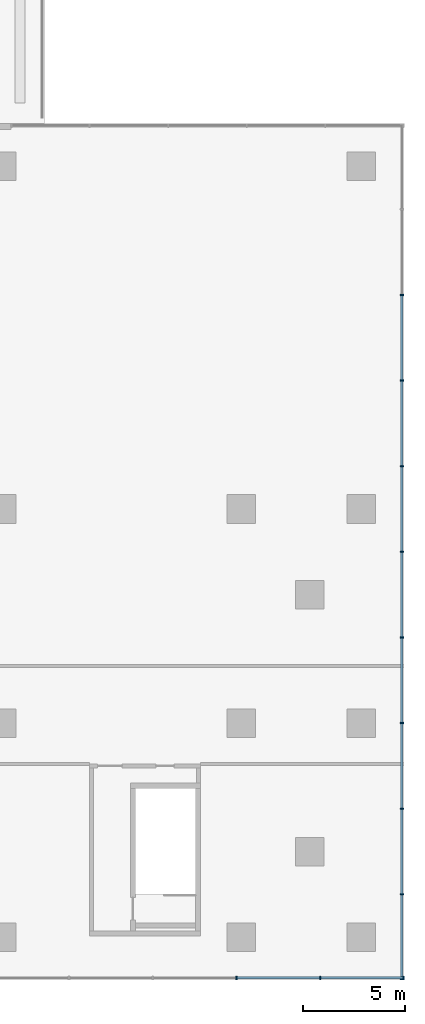
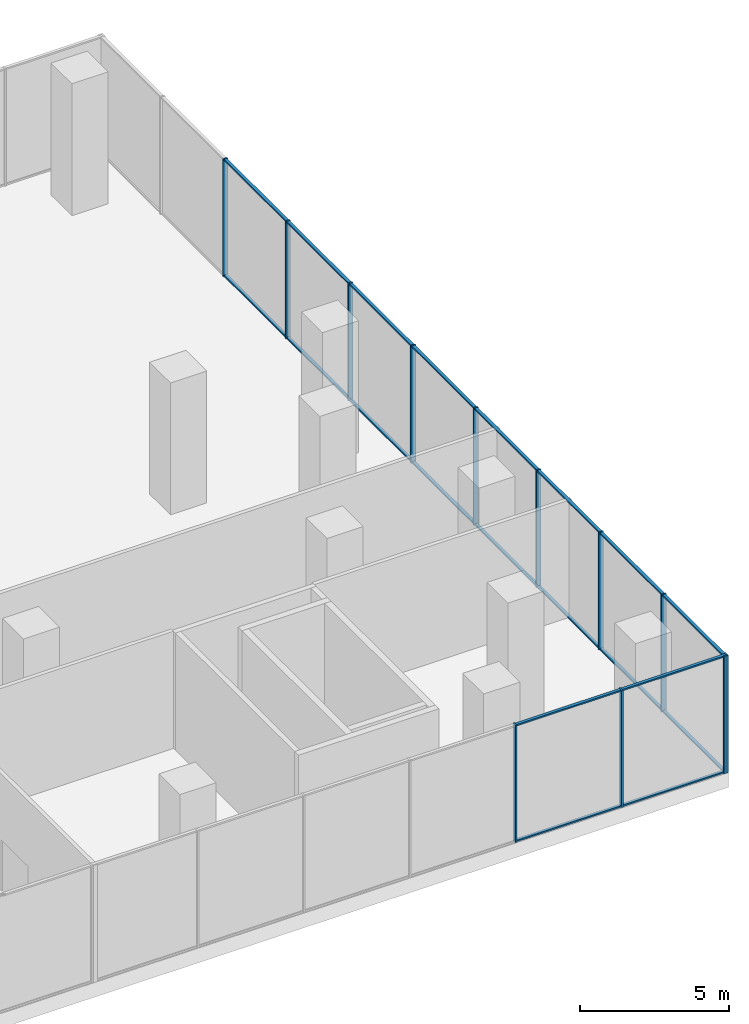
# One storey, part 8 of 21: 32 members, 2 elements without a shape of their own.
"""IFC4 building model written with IfcOpenShell, lengths in metres."""

from ifc_helpers import new_model, si_unit, direction, frame, origin, origin_2d, place, context, subcontext, project, spatial, rectangle, extrude, source, transform, mapped, material, layer, layer_set, material_profile, profile_set, type_object, element, aggregate, save


model = new_model("IFC4")

# Units and contexts
model_context = context("Model", 3, precision=1e-05, world=origin(), true_north=direction((0.0, 1.0)))
body_context = subcontext(model_context, "Body", "Model", "MODEL_VIEW")
ifc_project = project(units=[si_unit("LENGTHUNIT", "METRE"), si_unit("AREAUNIT", "SQUARE_METRE"), si_unit("VOLUMEUNIT", "CUBIC_METRE"), si_unit("PLANEANGLEUNIT", "RADIAN"), si_unit("MASSUNIT", "GRAM", prefix="KILO")], contexts=[model_context])

# Site, building, storey
site_placement = place(None, origin())
site = spatial("IfcSite", under=ifc_project, at=site_placement, CompositionType="ELEMENT")
building_placement = place(site_placement, origin())
building = spatial("IfcBuilding", under=site, at=building_placement, Name="Aurelian Terraces", CompositionType="ELEMENT")
storey_placement = place(building_placement, frame((0.0, 0.0, 29.1)))
storey = spatial("IfcBuildingStorey", under=building, at=storey_placement, Name="L05", CompositionType="ELEMENT", Elevation=29.1)

# Curtain wall, members
ifc_material_1 = material(Name="Anodised aluminium and clear glazing", Category="aluminium")
ifc_layer = layer(ifc_material_1, 0.2)
ifc_layer_set = layer_set([ifc_layer], Name="Winter garden glazing curtain wall")
curtain_wall_type = type_object("IfcCurtainWallType", Name="Winter garden glazing curtain wall", PredefinedType="NOTDEFINED", material=ifc_layer_set)
curtain_wall_1_placement = place(storey_placement, origin())
curtain_wall_1 = element("IfcCurtainWall", 1, at=curtain_wall_1_placement, inside=storey, type_object=curtain_wall_type, Name="Winter garden glazing L05 F01.1", PredefinedType="NOTDEFINED")
ifc_material_2 = material(Name="Anodised aluminium", Category="aluminium")
ifc_material_profile_1 = material_profile(ifc_material_2, rectangle(XDim=0.18, YDim=0.06, at=origin_2d()))
ifc_profile_set_1 = profile_set([ifc_material_profile_1], Name="Anodised aluminium")
member_type_1 = type_object("IfcMemberType", Name="Winter garden glazing mullion", PredefinedType="MULLION", material=ifc_profile_set_1)
shared_shape_1 = source(origin(), body_context, "Body", "SweptSolid", [
    extrude(rectangle(XDim=0.18, YDim=0.06, at=origin_2d()), origin(), (0.0, 0.0, 1.0), 4.8),
])
member_1_placement = place(storey_placement, frame((63.6067, -2.0, 0.0), z_axis=(0.0, 0.0, 1.0), x_axis=(0.0, 1.0, 0.0)))
member_1 = element("IfcMember", 2, at=member_1_placement, type_object=member_type_1, Name="CW6 mullion 17", PredefinedType="MULLION", context=body_context, shape_type="MappedRepresentation", body=[
    mapped(shared_shape_1, transform((0.0, 0.0, 0.0), scale=1.0)),
])
member_2_placement = place(storey_placement, frame((67.7133, -2.0, 0.0), z_axis=(0.0, 0.0, 1.0), x_axis=(0.0, 1.0, 0.0)))
member_2 = element("IfcMember", 3, at=member_2_placement, type_object=member_type_1, Name="CW6 mullion 18", PredefinedType="MULLION", context=body_context, shape_type="MappedRepresentation", body=[
    mapped(shared_shape_1, transform((0.0, 0.0, 0.0), scale=1.0)),
])
member_3_placement = place(storey_placement, frame((71.79, -2.0, 0.0), z_axis=(0.0, 0.0, 1.0), x_axis=(0.0, 1.0, 0.0)))
member_3 = element("IfcMember", 4, at=member_3_placement, type_object=member_type_1, Name="CW6 mullion 19", PredefinedType="MULLION", context=body_context, shape_type="MappedRepresentation", body=[
    mapped(shared_shape_1, transform((0.0, 0.0, 0.0), scale=1.0)),
])

curtain_wall_2_placement = place(storey_placement, origin())
curtain_wall_2 = element("IfcCurtainWall", 5, at=curtain_wall_2_placement, inside=storey, type_object=curtain_wall_type, Name="Winter garden glazing L05 F02.1", PredefinedType="NOTDEFINED")
member_4_placement = place(storey_placement, frame((71.72, -2.07, 0.0), z_axis=(0.0, 0.0, 1.0), x_axis=(-1.0, 0.0, 0.0)))
member_4 = element("IfcMember", 6, at=member_4_placement, type_object=member_type_1, Name="CW6 mullion 1", PredefinedType="MULLION", context=body_context, shape_type="MappedRepresentation", body=[
    mapped(shared_shape_1, transform((0.0, 0.0, 0.0), scale=1.0)),
])
member_5_placement = place(storey_placement, frame((71.72, 2.1, 0.0), z_axis=(0.0, 0.0, 1.0), x_axis=(-1.0, 0.0, 0.0)))
member_5 = element("IfcMember", 7, at=member_5_placement, type_object=member_type_1, Name="CW6 mullion 2", PredefinedType="MULLION", context=body_context, shape_type="MappedRepresentation", body=[
    mapped(shared_shape_1, transform((0.0, 0.0, 0.0), scale=1.0)),
])
member_6_placement = place(storey_placement, frame((71.72, 6.3, 0.0), z_axis=(0.0, 0.0, 1.0), x_axis=(-1.0, 0.0, 0.0)))
member_6 = element("IfcMember", 8, at=member_6_placement, type_object=member_type_1, Name="CW6 mullion 3", PredefinedType="MULLION", context=body_context, shape_type="MappedRepresentation", body=[
    mapped(shared_shape_1, transform((0.0, 0.0, 0.0), scale=1.0)),
])
member_7_placement = place(storey_placement, frame((71.72, 10.5, 0.0), z_axis=(0.0, 0.0, 1.0), x_axis=(-1.0, 0.0, 0.0)))
member_7 = element("IfcMember", 9, at=member_7_placement, type_object=member_type_1, Name="CW6 mullion 4", PredefinedType="MULLION", context=body_context, shape_type="MappedRepresentation", body=[
    mapped(shared_shape_1, transform((0.0, 0.0, 0.0), scale=1.0)),
])
member_8_placement = place(storey_placement, frame((71.72, 14.7, 0.0), z_axis=(0.0, 0.0, 1.0), x_axis=(-1.0, 0.0, 0.0)))
member_8 = element("IfcMember", 10, at=member_8_placement, type_object=member_type_1, Name="CW6 mullion 5", PredefinedType="MULLION", context=body_context, shape_type="MappedRepresentation", body=[
    mapped(shared_shape_1, transform((0.0, 0.0, 0.0), scale=1.0)),
])
member_9_placement = place(storey_placement, frame((71.72, 18.9, 0.0), z_axis=(0.0, 0.0, 1.0), x_axis=(-1.0, 0.0, 0.0)))
member_9 = element("IfcMember", 11, at=member_9_placement, type_object=member_type_1, Name="CW6 mullion 6", PredefinedType="MULLION", context=body_context, shape_type="MappedRepresentation", body=[
    mapped(shared_shape_1, transform((0.0, 0.0, 0.0), scale=1.0)),
])
member_10_placement = place(storey_placement, frame((71.72, 23.1, 0.0), z_axis=(0.0, 0.0, 1.0), x_axis=(-1.0, 0.0, 0.0)))
member_10 = element("IfcMember", 12, at=member_10_placement, type_object=member_type_1, Name="CW6 mullion 7", PredefinedType="MULLION", context=body_context, shape_type="MappedRepresentation", body=[
    mapped(shared_shape_1, transform((0.0, 0.0, 0.0), scale=1.0)),
])
member_11_placement = place(storey_placement, frame((71.72, 27.3, 0.0), z_axis=(0.0, 0.0, 1.0), x_axis=(-1.0, 0.0, 0.0)))
member_11 = element("IfcMember", 13, at=member_11_placement, type_object=member_type_1, Name="CW6 mullion 8", PredefinedType="MULLION", context=body_context, shape_type="MappedRepresentation", body=[
    mapped(shared_shape_1, transform((0.0, 0.0, 0.0), scale=1.0)),
])
member_12_placement = place(storey_placement, frame((71.72, 31.5, 0.0), z_axis=(0.0, 0.0, 1.0), x_axis=(-1.0, 0.0, 0.0)))
member_12 = element("IfcMember", 14, at=member_12_placement, type_object=member_type_1, Name="CW6 mullion 9", PredefinedType="MULLION", context=body_context, shape_type="MappedRepresentation", body=[
    mapped(shared_shape_1, transform((0.0, 0.0, 0.0), scale=1.0)),
])
ifc_material_profile_2 = material_profile(ifc_material_2, rectangle(XDim=0.12, YDim=0.06, at=origin_2d()))
ifc_profile_set_2 = profile_set([ifc_material_profile_2], Name="Anodised aluminium")
member_type_2 = type_object("IfcMemberType", Name="Winter garden glazing transom", PredefinedType="USERDEFINED", material=ifc_profile_set_2)
shared_shape_2 = source(origin(), body_context, "Body", "SweptSolid", [
    extrude(rectangle(XDim=0.12, YDim=0.06, at=origin_2d()), origin(), (0.0, 0.0, 1.0), 4.11),
])
member_13_placement = place(storey_placement, frame((71.72, -2.04, 0.03), z_axis=(0.0, 1.0, 0.0), x_axis=(-1.0, 0.0, 0.0)))
member_13 = element("IfcMember", 15, at=member_13_placement, type_object=member_type_2, Name="CW6 transom 1.1", ObjectType="TRANSOM", PredefinedType="USERDEFINED", context=body_context, shape_type="MappedRepresentation", body=[
    mapped(shared_shape_2, transform((0.0, 0.0, 0.0), scale=1.0)),
])
member_14_placement = place(storey_placement, frame((71.72, -2.04, 4.77), z_axis=(0.0, 1.0, 0.0), x_axis=(-1.0, 0.0, 0.0)))
member_14 = element("IfcMember", 16, at=member_14_placement, type_object=member_type_2, Name="CW6 transom 1.2", ObjectType="TRANSOM", PredefinedType="USERDEFINED", context=body_context, shape_type="MappedRepresentation", body=[
    mapped(shared_shape_2, transform((0.0, 0.0, 0.0), scale=1.0)),
])
shared_shape_3 = source(origin(), body_context, "Body", "SweptSolid", [
    extrude(rectangle(XDim=0.12, YDim=0.06, at=origin_2d()), origin(), (0.0, 0.0, 1.0), 4.14),
])
member_15_placement = place(storey_placement, frame((71.72, 2.13, 0.03), z_axis=(0.0, 1.0, 0.0), x_axis=(-1.0, 0.0, 0.0)))
member_15 = element("IfcMember", 17, at=member_15_placement, type_object=member_type_2, Name="CW6 transom 2.1", ObjectType="TRANSOM", PredefinedType="USERDEFINED", context=body_context, shape_type="MappedRepresentation", body=[
    mapped(shared_shape_3, transform((0.0, 0.0, 0.0), scale=1.0)),
])
member_16_placement = place(storey_placement, frame((71.72, 2.13, 4.77), z_axis=(0.0, 1.0, 0.0), x_axis=(-1.0, 0.0, 0.0)))
member_16 = element("IfcMember", 18, at=member_16_placement, type_object=member_type_2, Name="CW6 transom 2.2", ObjectType="TRANSOM", PredefinedType="USERDEFINED", context=body_context, shape_type="MappedRepresentation", body=[
    mapped(shared_shape_3, transform((0.0, 0.0, 0.0), scale=1.0)),
])
member_17_placement = place(storey_placement, frame((71.72, 6.33, 0.03), z_axis=(0.0, 1.0, 0.0), x_axis=(-1.0, 0.0, 0.0)))
member_17 = element("IfcMember", 19, at=member_17_placement, type_object=member_type_2, Name="CW6 transom 3.1", ObjectType="TRANSOM", PredefinedType="USERDEFINED", context=body_context, shape_type="MappedRepresentation", body=[
    mapped(shared_shape_3, transform((0.0, 0.0, 0.0), scale=1.0)),
])
member_18_placement = place(storey_placement, frame((71.72, 6.33, 4.77), z_axis=(0.0, 1.0, 0.0), x_axis=(-1.0, 0.0, 0.0)))
member_18 = element("IfcMember", 20, at=member_18_placement, type_object=member_type_2, Name="CW6 transom 3.2", ObjectType="TRANSOM", PredefinedType="USERDEFINED", context=body_context, shape_type="MappedRepresentation", body=[
    mapped(shared_shape_3, transform((0.0, 0.0, 0.0), scale=1.0)),
])
member_19_placement = place(storey_placement, frame((71.72, 10.53, 0.03), z_axis=(0.0, 1.0, 0.0), x_axis=(-1.0, 0.0, 0.0)))
member_19 = element("IfcMember", 21, at=member_19_placement, type_object=member_type_2, Name="CW6 transom 4.1", ObjectType="TRANSOM", PredefinedType="USERDEFINED", context=body_context, shape_type="MappedRepresentation", body=[
    mapped(shared_shape_3, transform((0.0, 0.0, 0.0), scale=1.0)),
])
member_20_placement = place(storey_placement, frame((71.72, 10.53, 4.77), z_axis=(0.0, 1.0, 0.0), x_axis=(-1.0, 0.0, 0.0)))
member_20 = element("IfcMember", 22, at=member_20_placement, type_object=member_type_2, Name="CW6 transom 4.2", ObjectType="TRANSOM", PredefinedType="USERDEFINED", context=body_context, shape_type="MappedRepresentation", body=[
    mapped(shared_shape_3, transform((0.0, 0.0, 0.0), scale=1.0)),
])
member_21_placement = place(storey_placement, frame((71.72, 14.73, 0.03), z_axis=(0.0, 1.0, 0.0), x_axis=(-1.0, 0.0, 0.0)))
member_21 = element("IfcMember", 23, at=member_21_placement, type_object=member_type_2, Name="CW6 transom 5.1", ObjectType="TRANSOM", PredefinedType="USERDEFINED", context=body_context, shape_type="MappedRepresentation", body=[
    mapped(shared_shape_3, transform((0.0, 0.0, 0.0), scale=1.0)),
])
member_22_placement = place(storey_placement, frame((71.72, 14.73, 4.77), z_axis=(0.0, 1.0, 0.0), x_axis=(-1.0, 0.0, 0.0)))
member_22 = element("IfcMember", 24, at=member_22_placement, type_object=member_type_2, Name="CW6 transom 5.2", ObjectType="TRANSOM", PredefinedType="USERDEFINED", context=body_context, shape_type="MappedRepresentation", body=[
    mapped(shared_shape_3, transform((0.0, 0.0, 0.0), scale=1.0)),
])
member_23_placement = place(storey_placement, frame((71.72, 18.93, 0.03), z_axis=(0.0, 1.0, 0.0), x_axis=(-1.0, 0.0, 0.0)))
member_23 = element("IfcMember", 25, at=member_23_placement, type_object=member_type_2, Name="CW6 transom 6.1", ObjectType="TRANSOM", PredefinedType="USERDEFINED", context=body_context, shape_type="MappedRepresentation", body=[
    mapped(shared_shape_3, transform((0.0, 0.0, 0.0), scale=1.0)),
])
member_24_placement = place(storey_placement, frame((71.72, 18.93, 4.77), z_axis=(0.0, 1.0, 0.0), x_axis=(-1.0, 0.0, 0.0)))
member_24 = element("IfcMember", 26, at=member_24_placement, type_object=member_type_2, Name="CW6 transom 6.2", ObjectType="TRANSOM", PredefinedType="USERDEFINED", context=body_context, shape_type="MappedRepresentation", body=[
    mapped(shared_shape_3, transform((0.0, 0.0, 0.0), scale=1.0)),
])
member_25_placement = place(storey_placement, frame((71.72, 23.13, 0.03), z_axis=(0.0, 1.0, 0.0), x_axis=(-1.0, 0.0, 0.0)))
member_25 = element("IfcMember", 27, at=member_25_placement, type_object=member_type_2, Name="CW6 transom 7.1", ObjectType="TRANSOM", PredefinedType="USERDEFINED", context=body_context, shape_type="MappedRepresentation", body=[
    mapped(shared_shape_3, transform((0.0, 0.0, 0.0), scale=1.0)),
])
member_26_placement = place(storey_placement, frame((71.72, 23.13, 4.77), z_axis=(0.0, 1.0, 0.0), x_axis=(-1.0, 0.0, 0.0)))
member_26 = element("IfcMember", 28, at=member_26_placement, type_object=member_type_2, Name="CW6 transom 7.2", ObjectType="TRANSOM", PredefinedType="USERDEFINED", context=body_context, shape_type="MappedRepresentation", body=[
    mapped(shared_shape_3, transform((0.0, 0.0, 0.0), scale=1.0)),
])
member_27_placement = place(storey_placement, frame((71.72, 27.33, 0.03), z_axis=(0.0, 1.0, 0.0), x_axis=(-1.0, 0.0, 0.0)))
member_27 = element("IfcMember", 29, at=member_27_placement, type_object=member_type_2, Name="CW6 transom 8.1", ObjectType="TRANSOM", PredefinedType="USERDEFINED", context=body_context, shape_type="MappedRepresentation", body=[
    mapped(shared_shape_3, transform((0.0, 0.0, 0.0), scale=1.0)),
])
member_28_placement = place(storey_placement, frame((71.72, 27.33, 4.77), z_axis=(0.0, 1.0, 0.0), x_axis=(-1.0, 0.0, 0.0)))
member_28 = element("IfcMember", 30, at=member_28_placement, type_object=member_type_2, Name="CW6 transom 8.2", ObjectType="TRANSOM", PredefinedType="USERDEFINED", context=body_context, shape_type="MappedRepresentation", body=[
    mapped(shared_shape_3, transform((0.0, 0.0, 0.0), scale=1.0)),
])
aggregate(curtain_wall_2, [member_4, member_5, member_6, member_7, member_8, member_9, member_10, member_11, member_12, member_13, member_14, member_15, member_16, member_17, member_18, member_19, member_20, member_21, member_22, member_23, member_24, member_25, member_26, member_27, member_28])

# Member
shared_shape_4 = source(origin(), body_context, "Body", "SweptSolid", [
    extrude(rectangle(XDim=0.12, YDim=0.06, at=origin_2d()), origin(), (0.0, 0.0, 1.0), 4.0167),
])
member_29_placement = place(storey_placement, frame((67.7433, -2.0, 0.03), z_axis=(1.0, 0.0, 0.0), x_axis=(0.0, 1.0, 0.0)))
member_29 = element("IfcMember", 31, at=member_29_placement, type_object=member_type_2, Name="CW6 transom 18.1", ObjectType="TRANSOM", PredefinedType="USERDEFINED", context=body_context, shape_type="MappedRepresentation", body=[
    mapped(shared_shape_4, transform((0.0, 0.0, 0.0), scale=1.0)),
])

member_30_placement = place(storey_placement, frame((67.7433, -2.0, 4.77), z_axis=(1.0, 0.0, 0.0), x_axis=(0.0, 1.0, 0.0)))
member_30 = element("IfcMember", 32, at=member_30_placement, type_object=member_type_2, Name="CW6 transom 18.2", ObjectType="TRANSOM", PredefinedType="USERDEFINED", context=body_context, shape_type="MappedRepresentation", body=[
    mapped(shared_shape_4, transform((0.0, 0.0, 0.0), scale=1.0)),
])

shared_shape_5 = source(origin(), body_context, "Body", "SweptSolid", [
    extrude(rectangle(XDim=0.12, YDim=0.06, at=origin_2d()), origin(), (0.0, 0.0, 1.0), 4.0466),
])
member_31_placement = place(storey_placement, frame((63.6367, -2.0, 0.03), z_axis=(1.0, 0.0, 0.0), x_axis=(0.0, 1.0, 0.0)))
member_31 = element("IfcMember", 33, at=member_31_placement, type_object=member_type_2, Name="CW6 transom 17.1", ObjectType="TRANSOM", PredefinedType="USERDEFINED", context=body_context, shape_type="MappedRepresentation", body=[
    mapped(shared_shape_5, transform((0.0, 0.0, 0.0), scale=1.0)),
])

member_32_placement = place(storey_placement, frame((63.6367, -2.0, 4.77), z_axis=(1.0, 0.0, 0.0), x_axis=(0.0, 1.0, 0.0)))
member_32 = element("IfcMember", 34, at=member_32_placement, type_object=member_type_2, Name="CW6 transom 17.2", ObjectType="TRANSOM", PredefinedType="USERDEFINED", context=body_context, shape_type="MappedRepresentation", body=[
    mapped(shared_shape_5, transform((0.0, 0.0, 0.0), scale=1.0)),
])

aggregate(curtain_wall_1, [member_1, member_2, member_3, member_31, member_32, member_29, member_30])

save(model, "model.ifc")
